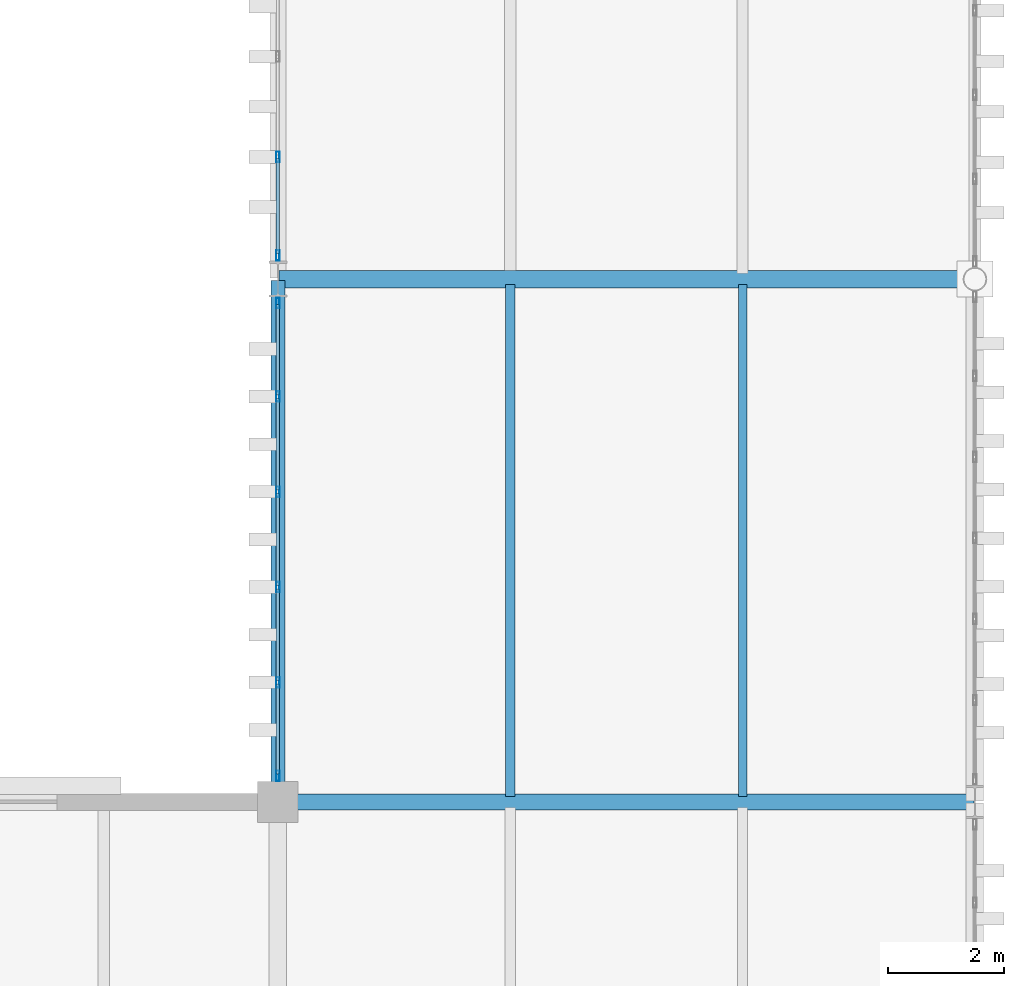
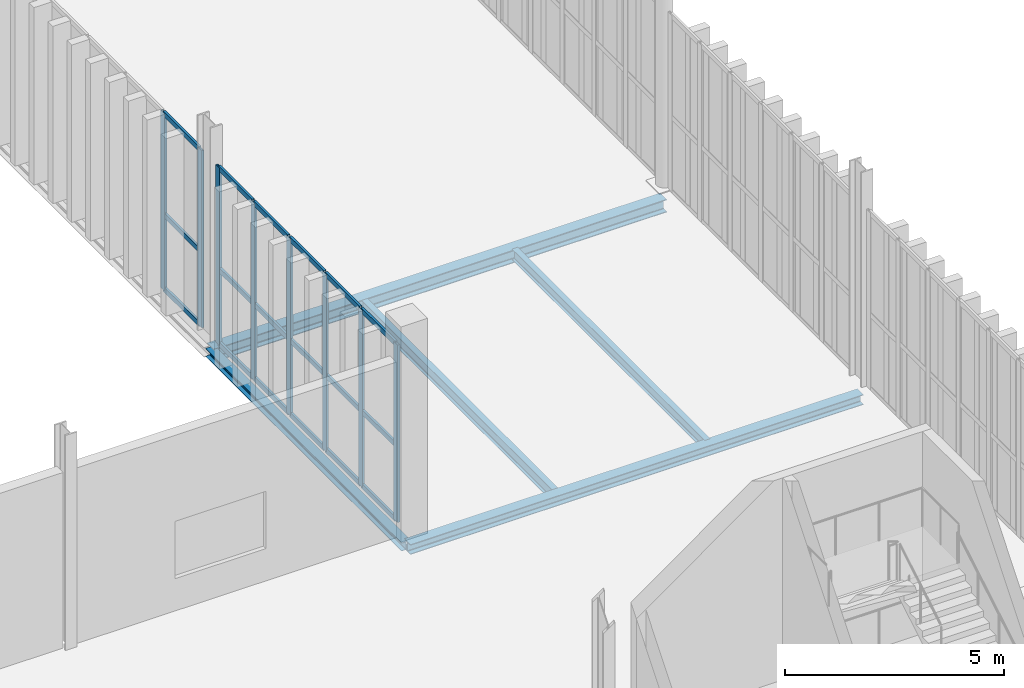
# One storey, part 122 of 211: 26 members, 5 beams, 2 elements without a shape of their own.
"""IFC4 building model written with IfcOpenShell, lengths in metres."""

from ifc_helpers import new_model, si_unit, direction, frame, origin, origin_2d, place, context, subcontext, project, spatial, hollow_rectangle, i_section, extrude, material, layer, layer_set, material_profile, profile_set, type_object, element, aggregate, save


model = new_model("IFC4")

# Units and contexts
model_context = context("Model", 3, precision=1e-05, world=origin(), true_north=direction((0.0, 1.0)))
body_context = subcontext(model_context, "Body", "Model", "MODEL_VIEW")
ifc_project = project(units=[si_unit("LENGTHUNIT", "METRE"), si_unit("AREAUNIT", "SQUARE_METRE"), si_unit("VOLUMEUNIT", "CUBIC_METRE"), si_unit("PLANEANGLEUNIT", "RADIAN"), si_unit("MASSUNIT", "GRAM", prefix="KILO")], contexts=[model_context])

# Site, building, storey
site_placement = place(None, origin())
site = spatial("IfcSite", under=ifc_project, at=site_placement, CompositionType="ELEMENT")
building_placement = place(site_placement, origin())
building = spatial("IfcBuilding", under=site, at=building_placement, Name="Barlavento Convention Centre", CompositionType="ELEMENT")
storey_placement = place(building_placement, frame((0.0, 0.0, 6.0)))
storey = spatial("IfcBuildingStorey", under=building, at=storey_placement, Name="L01", CompositionType="ELEMENT", Elevation=6.0)

# Curtain wall, members
ifc_material_1 = material(Name="Powder-coated aluminium and Low-E glass", Category="aluminium")
ifc_layer = layer(ifc_material_1, 0.179931640625)
ifc_layer_set = layer_set([ifc_layer], Name="ARC-CW-EXH-L01")
curtain_wall_type = type_object("IfcCurtainWallType", Name="ARC-CW-EXH-L01", PredefinedType="NOTDEFINED", material=ifc_layer_set)
curtain_wall_1_placement = place(storey_placement, origin())
curtain_wall_1 = element("IfcCurtainWall", 1, at=curtain_wall_1_placement, inside=storey, type_object=curtain_wall_type, Name="L01 unitised curtain wall CW04", PredefinedType="NOTDEFINED")
ifc_material_2 = material(Name="Powder-coated aluminium", Category="aluminium")
ifc_material_profile_1 = material_profile(ifc_material_2, hollow_rectangle(XDim=0.06005859375, YDim=0.179931640625, WallThickness=0.0048828125, at=origin_2d()), Name="AL-MULL 60x180x5")
ifc_profile_set_1 = profile_set([ifc_material_profile_1], Name="Powder-coated aluminium")
member_type_1 = type_object("IfcMemberType", Name="ARC-CWM-60X180", PredefinedType="MULLION", material=ifc_profile_set_1)
member_1_placement = place(storey_placement, frame((180.0, 108.449951171875, 0.0), z_axis=(0.0, 0.0, 1.0), x_axis=(-1.0, 0.0, 0.0)))
member_1 = element("IfcMember", 2, at=member_1_placement, type_object=member_type_1, Name="CW04 mullion 1", PredefinedType="MULLION", context=body_context, shape_type="SweptSolid", body=[
    extrude(hollow_rectangle(XDim=0.06005859375, YDim=0.179931640625, WallThickness=0.0048828125, at=origin_2d()), origin(), (0.0, 0.0, 1.0), 4.949951171875),
])
member_2_placement = place(storey_placement, frame((180.0, 110.06005859375, 0.0), z_axis=(0.0, 0.0, 1.0), x_axis=(-1.0, 0.0, 0.0)))
member_2 = element("IfcMember", 3, at=member_2_placement, type_object=member_type_1, Name="CW04 mullion 2", PredefinedType="MULLION", context=body_context, shape_type="SweptSolid", body=[
    extrude(hollow_rectangle(XDim=0.06005859375, YDim=0.179931640625, WallThickness=0.0048828125, at=origin_2d()), origin(), (0.0, 0.0, 1.0), 4.949951171875),
])
member_3_placement = place(storey_placement, frame((180.0, 111.699951171875, 0.0), z_axis=(0.0, 0.0, 1.0), x_axis=(-1.0, 0.0, 0.0)))
member_3 = element("IfcMember", 4, at=member_3_placement, type_object=member_type_1, Name="CW04 mullion 3", PredefinedType="MULLION", context=body_context, shape_type="SweptSolid", body=[
    extrude(hollow_rectangle(XDim=0.06005859375, YDim=0.179931640625, WallThickness=0.0048828125, at=origin_2d()), origin(), (0.0, 0.0, 1.0), 4.949951171875),
])
member_4_placement = place(storey_placement, frame((180.0, 113.340087890625, 0.0), z_axis=(0.0, 0.0, 1.0), x_axis=(-1.0, 0.0, 0.0)))
member_4 = element("IfcMember", 5, at=member_4_placement, type_object=member_type_1, Name="CW04 mullion 4", PredefinedType="MULLION", context=body_context, shape_type="SweptSolid", body=[
    extrude(hollow_rectangle(XDim=0.06005859375, YDim=0.179931640625, WallThickness=0.0048828125, at=origin_2d()), origin(), (0.0, 0.0, 1.0), 4.949951171875),
])
member_5_placement = place(storey_placement, frame((180.0, 114.97998046875, 0.0), z_axis=(0.0, 0.0, 1.0), x_axis=(-1.0, 0.0, 0.0)))
member_5 = element("IfcMember", 6, at=member_5_placement, type_object=member_type_1, Name="CW04 mullion 5", PredefinedType="MULLION", context=body_context, shape_type="SweptSolid", body=[
    extrude(hollow_rectangle(XDim=0.06005859375, YDim=0.179931640625, WallThickness=0.0048828125, at=origin_2d()), origin(), (0.0, 0.0, 1.0), 4.949951171875),
])
member_6_placement = place(storey_placement, frame((180.0, 116.590087890625, 0.0), z_axis=(0.0, 0.0, 1.0), x_axis=(-1.0, 0.0, 0.0)))
member_6 = element("IfcMember", 7, at=member_6_placement, type_object=member_type_1, Name="CW04 mullion 6", PredefinedType="MULLION", context=body_context, shape_type="SweptSolid", body=[
    extrude(hollow_rectangle(XDim=0.06005859375, YDim=0.179931640625, WallThickness=0.0048828125, at=origin_2d()), origin(), (0.0, 0.0, 1.0), 4.949951171875),
])

curtain_wall_2_placement = place(storey_placement, origin())
curtain_wall_2 = element("IfcCurtainWall", 8, at=curtain_wall_2_placement, inside=storey, type_object=curtain_wall_type, Name="L01 unitised curtain wall CW04", PredefinedType="NOTDEFINED")
member_7_placement = place(storey_placement, frame((180.0, 117.409912109375, 0.0), z_axis=(0.0, 0.0, 1.0), x_axis=(-1.0, 0.0, 0.0)))
member_7 = element("IfcMember", 9, at=member_7_placement, type_object=member_type_1, Name="CW04 mullion 1", PredefinedType="MULLION", context=body_context, shape_type="SweptSolid", body=[
    extrude(hollow_rectangle(XDim=0.06005859375, YDim=0.179931640625, WallThickness=0.0048828125, at=origin_2d()), origin(), (0.0, 0.0, 1.0), 4.949951171875),
])
member_8_placement = place(storey_placement, frame((180.0, 119.10498046875, 0.0), z_axis=(0.0, 0.0, 1.0), x_axis=(-1.0, 0.0, 0.0)))
member_8 = element("IfcMember", 10, at=member_8_placement, type_object=member_type_1, Name="CW04 mullion 2", PredefinedType="MULLION", context=body_context, shape_type="SweptSolid", body=[
    extrude(hollow_rectangle(XDim=0.06005859375, YDim=0.179931640625, WallThickness=0.0048828125, at=origin_2d()), origin(), (0.0, 0.0, 1.0), 4.949951171875),
])

# Member
ifc_material_profile_2 = material_profile(ifc_material_2, hollow_rectangle(XDim=0.06005859375, YDim=0.139892578125, WallThickness=0.00390625, at=origin_2d()), Name="AL-TRAN 60x140x4")
ifc_profile_set_2 = profile_set([ifc_material_profile_2], Name="Powder-coated aluminium")
member_type_2 = type_object("IfcMemberType", Name="ARC-CWT-60X140", PredefinedType="USERDEFINED", material=ifc_profile_set_2)
member_9_placement = place(storey_placement, frame((180.0, 108.47998046875, 0.030029296875), z_axis=(0.0, 1.0, 0.0), x_axis=(-1.0, 0.0, 0.0)))
member_9 = element("IfcMember", 11, at=member_9_placement, type_object=member_type_2, Name="CW04 transom 1.1", ObjectType="TRANSOM", PredefinedType="USERDEFINED", context=body_context, shape_type="SweptSolid", body=[
    extrude(hollow_rectangle(XDim=0.06005859375, YDim=0.139892578125, WallThickness=0.00390625, at=origin_2d()), origin(), (0.0, 0.0, 1.0), 1.550048828125),
])

member_10_placement = place(storey_placement, frame((180.0, 108.47998046875, 2.10009765625), z_axis=(0.0, 1.0, 0.0), x_axis=(-1.0, 0.0, 0.0)))
member_10 = element("IfcMember", 12, at=member_10_placement, type_object=member_type_2, Name="CW04 transom 1.2", ObjectType="TRANSOM", PredefinedType="USERDEFINED", context=body_context, shape_type="SweptSolid", body=[
    extrude(hollow_rectangle(XDim=0.06005859375, YDim=0.139892578125, WallThickness=0.00390625, at=origin_2d()), origin(), (0.0, 0.0, 1.0), 1.550048828125),
])

member_11_placement = place(storey_placement, frame((180.0, 108.47998046875, 4.919921875), z_axis=(0.0, 1.0, 0.0), x_axis=(-1.0, 0.0, 0.0)))
member_11 = element("IfcMember", 13, at=member_11_placement, type_object=member_type_2, Name="CW04 transom 1.3", ObjectType="TRANSOM", PredefinedType="USERDEFINED", context=body_context, shape_type="SweptSolid", body=[
    extrude(hollow_rectangle(XDim=0.06005859375, YDim=0.139892578125, WallThickness=0.00390625, at=origin_2d()), origin(), (0.0, 0.0, 1.0), 1.550048828125),
])

member_12_placement = place(storey_placement, frame((180.0, 110.090087890625, 0.030029296875), z_axis=(0.0, 1.0, 0.0), x_axis=(-1.0, 0.0, 0.0)))
member_12 = element("IfcMember", 14, at=member_12_placement, type_object=member_type_2, Name="CW04 transom 2.1", ObjectType="TRANSOM", PredefinedType="USERDEFINED", context=body_context, shape_type="SweptSolid", body=[
    extrude(hollow_rectangle(XDim=0.06005859375, YDim=0.139892578125, WallThickness=0.00390625, at=origin_2d()), origin(), (0.0, 0.0, 1.0), 1.579833984375),
])

member_13_placement = place(storey_placement, frame((180.0, 110.090087890625, 2.10009765625), z_axis=(0.0, 1.0, 0.0), x_axis=(-1.0, 0.0, 0.0)))
member_13 = element("IfcMember", 15, at=member_13_placement, type_object=member_type_2, Name="CW04 transom 2.2", ObjectType="TRANSOM", PredefinedType="USERDEFINED", context=body_context, shape_type="SweptSolid", body=[
    extrude(hollow_rectangle(XDim=0.06005859375, YDim=0.139892578125, WallThickness=0.00390625, at=origin_2d()), origin(), (0.0, 0.0, 1.0), 1.579833984375),
])

member_14_placement = place(storey_placement, frame((180.0, 110.090087890625, 4.919921875), z_axis=(0.0, 1.0, 0.0), x_axis=(-1.0, 0.0, 0.0)))
member_14 = element("IfcMember", 16, at=member_14_placement, type_object=member_type_2, Name="CW04 transom 2.3", ObjectType="TRANSOM", PredefinedType="USERDEFINED", context=body_context, shape_type="SweptSolid", body=[
    extrude(hollow_rectangle(XDim=0.06005859375, YDim=0.139892578125, WallThickness=0.00390625, at=origin_2d()), origin(), (0.0, 0.0, 1.0), 1.579833984375),
])

member_15_placement = place(storey_placement, frame((180.0, 111.72998046875, 0.030029296875), z_axis=(0.0, 1.0, 0.0), x_axis=(-1.0, 0.0, 0.0)))
member_15 = element("IfcMember", 17, at=member_15_placement, type_object=member_type_2, Name="CW04 transom 3.1", ObjectType="TRANSOM", PredefinedType="USERDEFINED", context=body_context, shape_type="SweptSolid", body=[
    extrude(hollow_rectangle(XDim=0.06005859375, YDim=0.139892578125, WallThickness=0.00390625, at=origin_2d()), origin(), (0.0, 0.0, 1.0), 1.580078125),
])

member_16_placement = place(storey_placement, frame((180.0, 111.72998046875, 2.10009765625), z_axis=(0.0, 1.0, 0.0), x_axis=(-1.0, 0.0, 0.0)))
member_16 = element("IfcMember", 18, at=member_16_placement, type_object=member_type_2, Name="CW04 transom 3.2", ObjectType="TRANSOM", PredefinedType="USERDEFINED", context=body_context, shape_type="SweptSolid", body=[
    extrude(hollow_rectangle(XDim=0.06005859375, YDim=0.139892578125, WallThickness=0.00390625, at=origin_2d()), origin(), (0.0, 0.0, 1.0), 1.580078125),
])

member_17_placement = place(storey_placement, frame((180.0, 111.72998046875, 4.919921875), z_axis=(0.0, 1.0, 0.0), x_axis=(-1.0, 0.0, 0.0)))
member_17 = element("IfcMember", 19, at=member_17_placement, type_object=member_type_2, Name="CW04 transom 3.3", ObjectType="TRANSOM", PredefinedType="USERDEFINED", context=body_context, shape_type="SweptSolid", body=[
    extrude(hollow_rectangle(XDim=0.06005859375, YDim=0.139892578125, WallThickness=0.00390625, at=origin_2d()), origin(), (0.0, 0.0, 1.0), 1.580078125),
])

member_18_placement = place(storey_placement, frame((180.0, 113.3701171875, 0.030029296875), z_axis=(0.0, 1.0, 0.0), x_axis=(-1.0, 0.0, 0.0)))
member_18 = element("IfcMember", 20, at=member_18_placement, type_object=member_type_2, Name="CW04 transom 4.1", ObjectType="TRANSOM", PredefinedType="USERDEFINED", context=body_context, shape_type="SweptSolid", body=[
    extrude(hollow_rectangle(XDim=0.06005859375, YDim=0.139892578125, WallThickness=0.00390625, at=origin_2d()), origin(), (0.0, 0.0, 1.0), 1.579833984375),
])

member_19_placement = place(storey_placement, frame((180.0, 113.3701171875, 2.10009765625), z_axis=(0.0, 1.0, 0.0), x_axis=(-1.0, 0.0, 0.0)))
member_19 = element("IfcMember", 21, at=member_19_placement, type_object=member_type_2, Name="CW04 transom 4.2", ObjectType="TRANSOM", PredefinedType="USERDEFINED", context=body_context, shape_type="SweptSolid", body=[
    extrude(hollow_rectangle(XDim=0.06005859375, YDim=0.139892578125, WallThickness=0.00390625, at=origin_2d()), origin(), (0.0, 0.0, 1.0), 1.579833984375),
])

member_20_placement = place(storey_placement, frame((180.0, 113.3701171875, 4.919921875), z_axis=(0.0, 1.0, 0.0), x_axis=(-1.0, 0.0, 0.0)))
member_20 = element("IfcMember", 22, at=member_20_placement, type_object=member_type_2, Name="CW04 transom 4.3", ObjectType="TRANSOM", PredefinedType="USERDEFINED", context=body_context, shape_type="SweptSolid", body=[
    extrude(hollow_rectangle(XDim=0.06005859375, YDim=0.139892578125, WallThickness=0.00390625, at=origin_2d()), origin(), (0.0, 0.0, 1.0), 1.579833984375),
])

member_21_placement = place(storey_placement, frame((180.0, 115.010009765625, 0.030029296875), z_axis=(0.0, 1.0, 0.0), x_axis=(-1.0, 0.0, 0.0)))
member_21 = element("IfcMember", 23, at=member_21_placement, type_object=member_type_2, Name="CW04 transom 5.1", ObjectType="TRANSOM", PredefinedType="USERDEFINED", context=body_context, shape_type="SweptSolid", body=[
    extrude(hollow_rectangle(XDim=0.06005859375, YDim=0.139892578125, WallThickness=0.00390625, at=origin_2d()), origin(), (0.0, 0.0, 1.0), 1.550048828125),
])

member_22_placement = place(storey_placement, frame((180.0, 115.010009765625, 2.10009765625), z_axis=(0.0, 1.0, 0.0), x_axis=(-1.0, 0.0, 0.0)))
member_22 = element("IfcMember", 24, at=member_22_placement, type_object=member_type_2, Name="CW04 transom 5.2", ObjectType="TRANSOM", PredefinedType="USERDEFINED", context=body_context, shape_type="SweptSolid", body=[
    extrude(hollow_rectangle(XDim=0.06005859375, YDim=0.139892578125, WallThickness=0.00390625, at=origin_2d()), origin(), (0.0, 0.0, 1.0), 1.550048828125),
])

member_23_placement = place(storey_placement, frame((180.0, 115.010009765625, 4.919921875), z_axis=(0.0, 1.0, 0.0), x_axis=(-1.0, 0.0, 0.0)))
member_23 = element("IfcMember", 25, at=member_23_placement, type_object=member_type_2, Name="CW04 transom 5.3", ObjectType="TRANSOM", PredefinedType="USERDEFINED", context=body_context, shape_type="SweptSolid", body=[
    extrude(hollow_rectangle(XDim=0.06005859375, YDim=0.139892578125, WallThickness=0.00390625, at=origin_2d()), origin(), (0.0, 0.0, 1.0), 1.550048828125),
])

aggregate(curtain_wall_1, [member_1, member_2, member_3, member_4, member_5, member_6, member_9, member_10, member_11, member_12, member_13, member_14, member_15, member_16, member_17, member_18, member_19, member_20, member_21, member_22, member_23])

member_24_placement = place(storey_placement, frame((180.0, 117.43994140625, 0.030029296875), z_axis=(0.0, 1.0, 0.0), x_axis=(-1.0, 0.0, 0.0)))
member_24 = element("IfcMember", 26, at=member_24_placement, type_object=member_type_2, Name="CW04 transom 1.1", ObjectType="TRANSOM", PredefinedType="USERDEFINED", context=body_context, shape_type="SweptSolid", body=[
    extrude(hollow_rectangle(XDim=0.06005859375, YDim=0.139892578125, WallThickness=0.00390625, at=origin_2d()), origin(), (0.0, 0.0, 1.0), 1.635009765625),
])

member_25_placement = place(storey_placement, frame((180.0, 117.43994140625, 2.10009765625), z_axis=(0.0, 1.0, 0.0), x_axis=(-1.0, 0.0, 0.0)))
member_25 = element("IfcMember", 27, at=member_25_placement, type_object=member_type_2, Name="CW04 transom 1.2", ObjectType="TRANSOM", PredefinedType="USERDEFINED", context=body_context, shape_type="SweptSolid", body=[
    extrude(hollow_rectangle(XDim=0.06005859375, YDim=0.139892578125, WallThickness=0.00390625, at=origin_2d()), origin(), (0.0, 0.0, 1.0), 1.635009765625),
])

member_26_placement = place(storey_placement, frame((180.0, 117.43994140625, 4.919921875), z_axis=(0.0, 1.0, 0.0), x_axis=(-1.0, 0.0, 0.0)))
member_26 = element("IfcMember", 28, at=member_26_placement, type_object=member_type_2, Name="CW04 transom 1.3", ObjectType="TRANSOM", PredefinedType="USERDEFINED", context=body_context, shape_type="SweptSolid", body=[
    extrude(hollow_rectangle(XDim=0.06005859375, YDim=0.139892578125, WallThickness=0.00390625, at=origin_2d()), origin(), (0.0, 0.0, 1.0), 1.635009765625),
])

aggregate(curtain_wall_2, [member_7, member_8, member_24, member_25, member_26])

# Beams
ifc_material_3 = material(Name="Steel S355", Category="steel")
ifc_material_profile_3 = material_profile(ifc_material_3, i_section(OverallWidth=0.14990234375, OverallDepth=0.300048828125, WebThickness=0.007080078125, FlangeThickness=0.0107421875, FilletRadius=0.014892578125, at=origin_2d()), Name="IPE 300")
ifc_profile_set_3 = profile_set([ifc_material_profile_3], Name="Steel S355")
beam_type_1 = type_object("IfcBeamType", Name="STR-BM-JST-IPE300", PredefinedType="JOIST", material=ifc_profile_set_3)
beam_1_placement = place(storey_placement, frame((188.0, 108.094970703125, -0.47998046875), z_axis=(0.0, 1.0, 0.0), x_axis=(-1.0, 0.0, 0.0)))
element("IfcBeam", 29, at=beam_1_placement, inside=storey, type_object=beam_type_1, Name="L01 composite floor joist SJ07", PredefinedType="JOIST", context=body_context, shape_type="SweptSolid", body=[
    extrude(i_section(OverallWidth=0.14990234375, OverallDepth=0.300048828125, WebThickness=0.007080078125, FlangeThickness=0.0107421875, FilletRadius=0.014892578125, at=origin_2d()), origin(), (0.0, 0.0, 1.0), 8.81005859375),
])
ifc_material_profile_4 = material_profile(ifc_material_3, i_section(OverallWidth=0.159912109375, OverallDepth=0.330078125, WebThickness=0.007568359375, FlangeThickness=0.011474609375, FilletRadius=0.01806640625, at=origin_2d()), Name="IPE 330")
ifc_profile_set_4 = profile_set([ifc_material_profile_4], Name="Steel S355")
beam_type_2 = type_object("IfcBeamType", Name="STR-BM-JST-IPE330", PredefinedType="JOIST", material=ifc_profile_set_4)
beam_2_placement = place(storey_placement, frame((184.0, 108.094970703125, -0.4951171875), z_axis=(0.0, 1.0, 0.0), x_axis=(-1.0, 0.0, 0.0)))
element("IfcBeam", 30, at=beam_2_placement, inside=storey, type_object=beam_type_2, Name="L01 composite floor joist SJ06", PredefinedType="JOIST", context=body_context, shape_type="SweptSolid", body=[
    extrude(i_section(OverallWidth=0.159912109375, OverallDepth=0.330078125, WebThickness=0.007568359375, FlangeThickness=0.011474609375, FilletRadius=0.01806640625, at=origin_2d()), origin(), (0.0, 0.0, 1.0), 8.81005859375),
])
ifc_material_profile_5 = material_profile(ifc_material_3, i_section(OverallWidth=0.280029296875, OverallDepth=0.280029296875, WebThickness=0.010498046875, FlangeThickness=0.01806640625, FilletRadius=0.02392578125, at=origin_2d()), Name="HEB 280")
ifc_profile_set_5 = profile_set([ifc_material_profile_5], Name="Steel S355")
beam_type_3 = type_object("IfcBeamType", Name="STR-BM-PRI-HEB280", PredefinedType="BEAM", material=ifc_profile_set_5)
beam_3_placement = place(storey_placement, frame((180.02001953125, 108.0, -0.469970703125), z_axis=(1.0, 0.0, 0.0), x_axis=(0.0, 1.0, 0.0)))
element("IfcBeam", 31, at=beam_3_placement, inside=storey, type_object=beam_type_3, Name="L01 primary girder BG15", PredefinedType="BEAM", context=body_context, shape_type="SweptSolid", body=[
    extrude(i_section(OverallWidth=0.280029296875, OverallDepth=0.280029296875, WebThickness=0.010498046875, FlangeThickness=0.01806640625, FilletRadius=0.02392578125, at=origin_2d()), origin(), (0.0, 0.0, 1.0), 11.9599609375),
])
ifc_material_profile_6 = material_profile(ifc_material_3, i_section(OverallWidth=0.300048828125, OverallDepth=0.360107421875, WebThickness=0.012451171875, FlangeThickness=0.0224609375, FilletRadius=0.027099609375, at=origin_2d()), Name="HEB 360")
ifc_profile_set_6 = profile_set([ifc_material_profile_6], Name="Steel S355")
beam_type_4 = type_object("IfcBeamType", Name="STR-BM-PRI-HEB360", PredefinedType="BEAM", material=ifc_profile_set_6)
beam_4_placement = place(storey_placement, frame((180.02001953125, 117.0, -0.510009765625), z_axis=(1.0, 0.0, 0.0), x_axis=(0.0, 1.0, 0.0)))
element("IfcBeam", 32, at=beam_4_placement, inside=storey, type_object=beam_type_4, Name="L01 primary girder BG12", PredefinedType="BEAM", context=body_context, shape_type="SweptSolid", body=[
    extrude(i_section(OverallWidth=0.300048828125, OverallDepth=0.360107421875, WebThickness=0.012451171875, FlangeThickness=0.0224609375, FilletRadius=0.027099609375, at=origin_2d()), origin(), (0.0, 0.0, 1.0), 11.9599609375),
])
ifc_material_profile_7 = material_profile(ifc_material_3, i_section(OverallWidth=0.239990234375, OverallDepth=0.22998046875, WebThickness=0.007568359375, FlangeThickness=0.011962890625, FilletRadius=0.02099609375, at=origin_2d()), Name="HEA 240")
ifc_profile_set_7 = profile_set([ifc_material_profile_7], Name="Steel S355")
beam_type_5 = type_object("IfcBeamType", Name="STR-BM-SPN-HEA240", PredefinedType="SPANDREL", material=ifc_profile_set_7)
beam_5_placement = place(storey_placement, frame((180.0, 108.02001953125, -0.445068359375), z_axis=(0.0, 1.0, 0.0), x_axis=(-1.0, 0.0, 0.0)))
element("IfcBeam", 33, at=beam_5_placement, inside=storey, type_object=beam_type_5, Name="L01 grid girder SP05", PredefinedType="SPANDREL", context=body_context, shape_type="SweptSolid", body=[
    extrude(i_section(OverallWidth=0.239990234375, OverallDepth=0.22998046875, WebThickness=0.007568359375, FlangeThickness=0.011962890625, FilletRadius=0.02099609375, at=origin_2d()), origin(), (0.0, 0.0, 1.0), 8.9599609375),
])

save(model, "model.ifc")
